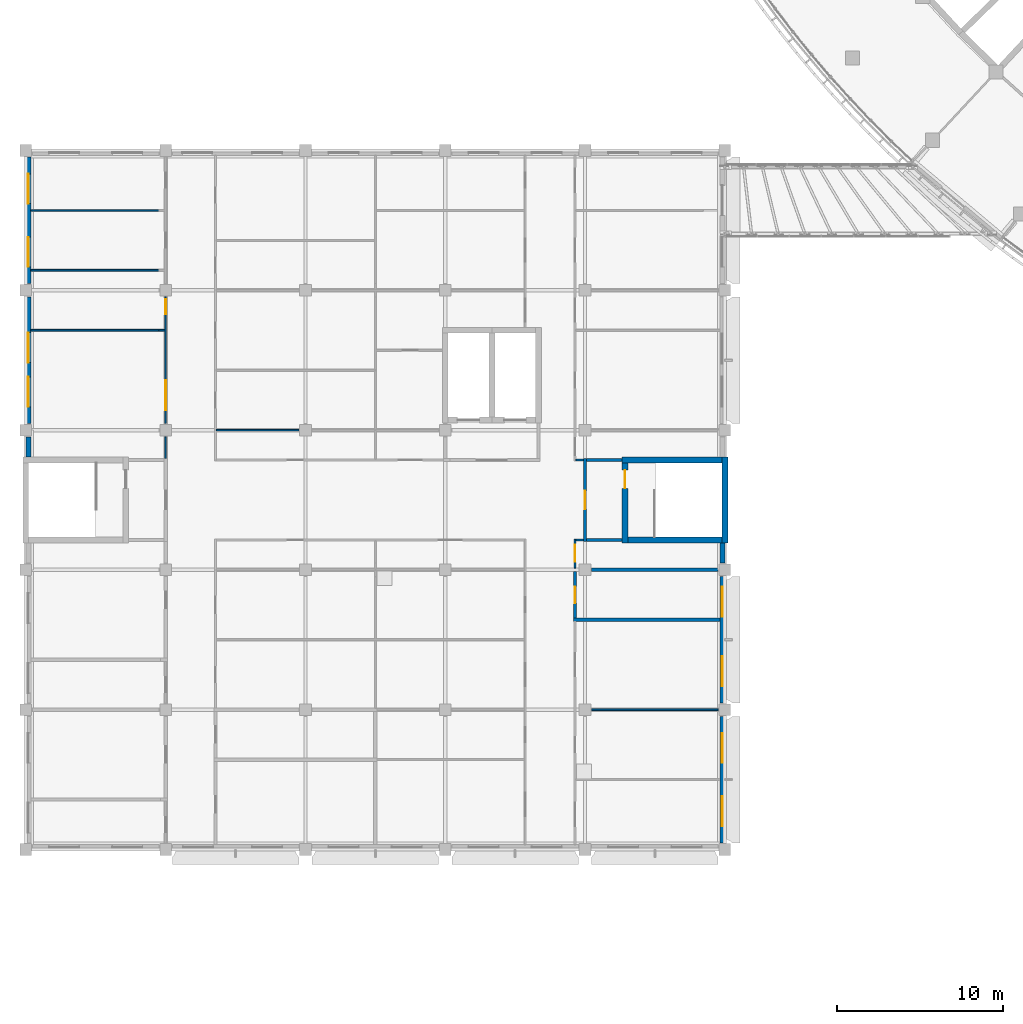
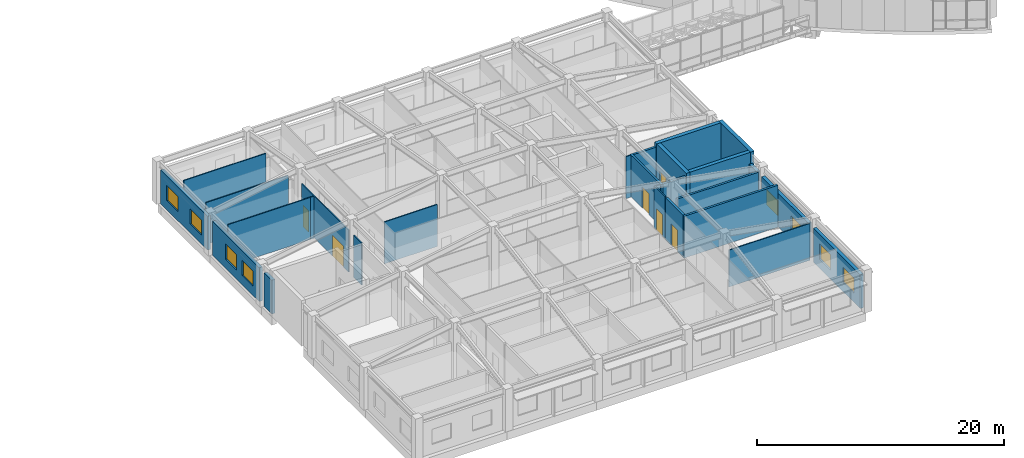
# One storey, part 57 of 136: 27 walls, 8 windows, 6 doors, 14 openings.
"""IFC4 building model written with IfcOpenShell, lengths in metres."""

from ifc_helpers import new_model, si_unit, direction, frame, frame_2d, origin, place, context, subcontext, project, spatial, rectangle, extrude, material, layer, layer_set, type_object, element, fill, save


model = new_model("IFC4")

# Units and contexts
model_context = context("Model", 3, precision=1e-05, world=origin(), true_north=direction((0.0, 1.0)))
body_context = subcontext(model_context, "Body", "Model", "MODEL_VIEW")
ifc_project = project(units=[si_unit("LENGTHUNIT", "METRE"), si_unit("AREAUNIT", "SQUARE_METRE"), si_unit("VOLUMEUNIT", "CUBIC_METRE"), si_unit("PLANEANGLEUNIT", "RADIAN"), si_unit("MASSUNIT", "GRAM", prefix="KILO")], contexts=[model_context])

# Site, building, storey
site_placement = place(None, origin())
site = spatial("IfcSite", under=ifc_project, at=site_placement, CompositionType="ELEMENT")
building_placement = place(site_placement, origin())
building = spatial("IfcBuilding", under=site, at=building_placement, Name="Bougainvillea Quay General Hospital", CompositionType="ELEMENT")
storey_placement = place(building_placement, frame((0.0, 0.0, 5.39990234375)))
storey = spatial("IfcBuildingStorey", under=building, at=storey_placement, Name="L01", CompositionType="ELEMENT", Elevation=5.39990234375)

# Wall, openings, windows
ifc_material_1 = material(Name="Pale stone rainscreen cladding on insulated masonry backing, pale stone", Category="masonry")
ifc_layer_1 = layer(ifc_material_1, 0.300048828125)
ifc_layer_set_1 = layer_set([ifc_layer_1], Name="Pale stone rainscreen cladding on insulated masonry backing, pale stone")
wall_type_1 = type_object("IfcWallType", Name="External wall pale stone rainscreen 300", PredefinedType="STANDARD", material=ifc_layer_set_1)
wall_1_placement = place(storey_placement, frame((8.550048828125, 75.199951171875, 0.0), z_axis=(0.0, 0.0, 1.0), x_axis=(0.0, -1.0, 0.0)))
wall_1 = element("IfcWall", 1, at=wall_1_placement, inside=storey, type_object=wall_type_1, Name="External wall wall/V2/L01/p0/01a", PredefinedType="STANDARD", context=body_context, shape_type="SweptSolid", body=[
    extrude(rectangle(XDim=7.599853515625, YDim=0.300048828125, at=frame_2d((3.7998046875, 0.0))), origin(), (0.0, 0.0, 1.0), 3.35009765625),
])
opening_1_placement = place(wall_1_placement, frame((1.0, 0.0, 0.89990234375)))
opening_1 = element("IfcOpeningElement", 2, at=opening_1_placement, cuts=wall_1, Name="Opening W1", PredefinedType="OPENING", context=body_context, shape_type="SweptSolid", body=[
    extrude(rectangle(XDim=1.800048828125, YDim=1.5, at=frame_2d((0.89990234375, 0.75))), frame((0.0, 0.159912109375, 0.0), z_axis=(0.0, -1.0, 0.0), x_axis=(1.0, 0.0, 0.0)), (0.0, 0.0, 1.0), 0.320068359375),
])
opening_2_placement = place(wall_1_placement, frame((4.800048828125, 0.0, 0.89990234375)))
opening_2 = element("IfcOpeningElement", 3, at=opening_2_placement, cuts=wall_1, Name="Opening W1", PredefinedType="OPENING", context=body_context, shape_type="SweptSolid", body=[
    extrude(rectangle(XDim=1.800048828125, YDim=1.5, at=frame_2d((0.89990234375, 0.75))), frame((0.0, 0.159912109375, 0.0), z_axis=(0.0, -1.0, 0.0), x_axis=(1.0, 0.0, 0.0)), (0.0, 0.0, 1.0), 0.320068359375),
])
ifc_material_2 = material(Name="Aluminium window frame with low-e double glazed unit", Category="aluminium")
window_type = type_object("IfcWindowType", Name="Window W1 1800x1500", PartitioningType="DOUBLE_PANEL_VERTICAL", PredefinedType="WINDOW", material=ifc_material_2)
window_1_placement = place(opening_1_placement, origin())
window_1 = element("IfcWindow", 4, at=window_1_placement, inside=storey, type_object=window_type, Name="Window W1 1", OverallHeight=1.5, OverallWidth=1.800048828125, PartitioningType="SINGLE_PANEL", PredefinedType="WINDOW", context=body_context, shape_type="SweptSolid", body=[
    extrude(rectangle(XDim=1.800048828125, YDim=1.5, at=frame_2d((0.89990234375, 0.75))), frame((0.0, 0.030029296875, 0.0), z_axis=(0.0, -1.0, 0.0), x_axis=(1.0, 0.0, 0.0)), (0.0, 0.0, 1.0), 0.06005859375),
])
fill(opening_1, window_1)
window_2_placement = place(opening_2_placement, origin())
window_2 = element("IfcWindow", 5, at=window_2_placement, inside=storey, type_object=window_type, Name="Window W1 2", OverallHeight=1.5, OverallWidth=1.800048828125, PartitioningType="SINGLE_PANEL", PredefinedType="WINDOW", context=body_context, shape_type="SweptSolid", body=[
    extrude(rectangle(XDim=1.800048828125, YDim=1.5, at=frame_2d((0.89990234375, 0.75))), frame((0.0, 0.030029296875, 0.0), z_axis=(0.0, -1.0, 0.0), x_axis=(1.0, 0.0, 0.0)), (0.0, 0.0, 1.0), 0.06005859375),
])
fill(opening_2, window_2)

wall_2_placement = place(storey_placement, frame((8.550048828125, 66.800048828125, 0.0), z_axis=(0.0, 0.0, 1.0), x_axis=(0.0, -1.0, 0.0)))
wall_2 = element("IfcWall", 6, at=wall_2_placement, inside=storey, type_object=wall_type_1, Name="External wall wall/V2/L01/p0/01b", PredefinedType="STANDARD", context=body_context, shape_type="SweptSolid", body=[
    extrude(rectangle(XDim=7.60009765625, YDim=0.300048828125, at=frame_2d((3.800048828125, 0.0))), origin(), (0.0, 0.0, 1.0), 3.35009765625),
])
opening_3_placement = place(wall_2_placement, frame((2.14990234375, 0.0, 0.89990234375)))
opening_3 = element("IfcOpeningElement", 7, at=opening_3_placement, cuts=wall_2, Name="Opening W1", PredefinedType="OPENING", context=body_context, shape_type="SweptSolid", body=[
    extrude(rectangle(XDim=1.800048828125, YDim=1.5, at=frame_2d((0.89990234375, 0.75))), frame((0.0, 0.159912109375, 0.0), z_axis=(0.0, -1.0, 0.0), x_axis=(1.0, 0.0, 0.0)), (0.0, 0.0, 1.0), 0.320068359375),
])
opening_4_placement = place(wall_2_placement, frame((4.800048828125, 0.0, 0.89990234375)))
opening_4 = element("IfcOpeningElement", 8, at=opening_4_placement, cuts=wall_2, Name="Opening W1", PredefinedType="OPENING", context=body_context, shape_type="SweptSolid", body=[
    extrude(rectangle(XDim=1.800048828125, YDim=1.5, at=frame_2d((0.89990234375, 0.75))), frame((0.0, 0.159912109375, 0.0), z_axis=(0.0, -1.0, 0.0), x_axis=(1.0, 0.0, 0.0)), (0.0, 0.0, 1.0), 0.320068359375),
])
window_3_placement = place(opening_3_placement, origin())
window_3 = element("IfcWindow", 9, at=window_3_placement, inside=storey, type_object=window_type, Name="Window W1 1", OverallHeight=1.5, OverallWidth=1.800048828125, PartitioningType="SINGLE_PANEL", PredefinedType="WINDOW", context=body_context, shape_type="SweptSolid", body=[
    extrude(rectangle(XDim=1.800048828125, YDim=1.5, at=frame_2d((0.89990234375, 0.75))), frame((0.0, 0.030029296875, 0.0), z_axis=(0.0, -1.0, 0.0), x_axis=(1.0, 0.0, 0.0)), (0.0, 0.0, 1.0), 0.06005859375),
])
fill(opening_3, window_3)
window_4_placement = place(opening_4_placement, origin())
window_4 = element("IfcWindow", 10, at=window_4_placement, inside=storey, type_object=window_type, Name="Window W1 2", OverallHeight=1.5, OverallWidth=1.800048828125, PartitioningType="SINGLE_PANEL", PredefinedType="WINDOW", context=body_context, shape_type="SweptSolid", body=[
    extrude(rectangle(XDim=1.800048828125, YDim=1.5, at=frame_2d((0.89990234375, 0.75))), frame((0.0, 0.030029296875, 0.0), z_axis=(0.0, -1.0, 0.0), x_axis=(1.0, 0.0, 0.0)), (0.0, 0.0, 1.0), 0.06005859375),
])
fill(opening_4, window_4)

wall_3_placement = place(storey_placement, frame((50.25, 34.0, 0.0), z_axis=(0.0, 0.0, 1.0), x_axis=(0.0, 1.0, 0.0)))
wall_3 = element("IfcWall", 11, at=wall_3_placement, inside=storey, type_object=wall_type_1, Name="External wall wall/V2/L01/p0/03a", PredefinedType="STANDARD", context=body_context, shape_type="SweptSolid", body=[
    extrude(rectangle(XDim=7.60009765625, YDim=0.300048828125, at=frame_2d((3.800048828125, 0.0))), origin(), (0.0, 0.0, 1.0), 3.35009765625),
])
opening_5_placement = place(wall_3_placement, frame((1.0, 0.0, 0.89990234375)))
opening_5 = element("IfcOpeningElement", 12, at=opening_5_placement, cuts=wall_3, Name="Opening W1", PredefinedType="OPENING", context=body_context, shape_type="SweptSolid", body=[
    extrude(rectangle(XDim=1.800048828125, YDim=1.5, at=frame_2d((0.89990234375, 0.75))), frame((0.0, 0.159912109375, 0.0), z_axis=(0.0, -1.0, 0.0), x_axis=(1.0, 0.0, 0.0)), (0.0, 0.0, 1.0), 0.320068359375),
])
opening_6_placement = place(wall_3_placement, frame((4.800048828125, 0.0, 0.89990234375)))
opening_6 = element("IfcOpeningElement", 13, at=opening_6_placement, cuts=wall_3, Name="Opening W1", PredefinedType="OPENING", context=body_context, shape_type="SweptSolid", body=[
    extrude(rectangle(XDim=1.800048828125, YDim=1.5, at=frame_2d((0.89990234375, 0.75))), frame((0.0, 0.159912109375, 0.0), z_axis=(0.0, -1.0, 0.0), x_axis=(1.0, 0.0, 0.0)), (0.0, 0.0, 1.0), 0.320068359375),
])
window_5_placement = place(opening_5_placement, origin())
window_5 = element("IfcWindow", 14, at=window_5_placement, inside=storey, type_object=window_type, Name="Window W1 1", OverallHeight=1.5, OverallWidth=1.800048828125, PartitioningType="SINGLE_PANEL", PredefinedType="WINDOW", context=body_context, shape_type="SweptSolid", body=[
    extrude(rectangle(XDim=1.800048828125, YDim=1.5, at=frame_2d((0.89990234375, 0.75))), frame((0.0, 0.030029296875, 0.0), z_axis=(0.0, -1.0, 0.0), x_axis=(1.0, 0.0, 0.0)), (0.0, 0.0, 1.0), 0.06005859375),
])
fill(opening_5, window_5)
window_6_placement = place(opening_6_placement, origin())
window_6 = element("IfcWindow", 15, at=window_6_placement, inside=storey, type_object=window_type, Name="Window W1 2", OverallHeight=1.5, OverallWidth=1.800048828125, PartitioningType="SINGLE_PANEL", PredefinedType="WINDOW", context=body_context, shape_type="SweptSolid", body=[
    extrude(rectangle(XDim=1.800048828125, YDim=1.5, at=frame_2d((0.89990234375, 0.75))), frame((0.0, 0.030029296875, 0.0), z_axis=(0.0, -1.0, 0.0), x_axis=(1.0, 0.0, 0.0)), (0.0, 0.0, 1.0), 0.06005859375),
])
fill(opening_6, window_6)

wall_4_placement = place(storey_placement, frame((50.25, 42.39990234375, 0.0), z_axis=(0.0, 0.0, 1.0), x_axis=(0.0, 1.0, 0.0)))
wall_4 = element("IfcWall", 16, at=wall_4_placement, inside=storey, type_object=wall_type_1, Name="External wall wall/V2/L01/p0/03b", PredefinedType="STANDARD", context=body_context, shape_type="SweptSolid", body=[
    extrude(rectangle(XDim=7.60009765625, YDim=0.300048828125, at=frame_2d((3.800048828125, 0.0))), origin(), (0.0, 0.0, 1.0), 3.35009765625),
])
opening_7_placement = place(wall_4_placement, frame((1.0, 0.0, 0.89990234375)))
opening_7 = element("IfcOpeningElement", 17, at=opening_7_placement, cuts=wall_4, Name="Opening W1", PredefinedType="OPENING", context=body_context, shape_type="SweptSolid", body=[
    extrude(rectangle(XDim=1.800048828125, YDim=1.5, at=frame_2d((0.89990234375, 0.75))), frame((0.0, 0.159912109375, 0.0), z_axis=(0.0, -1.0, 0.0), x_axis=(1.0, 0.0, 0.0)), (0.0, 0.0, 1.0), 0.320068359375),
])
opening_8_placement = place(wall_4_placement, frame((5.199951171875, 0.0, 0.89990234375)))
opening_8 = element("IfcOpeningElement", 18, at=opening_8_placement, cuts=wall_4, Name="Opening W1", PredefinedType="OPENING", context=body_context, shape_type="SweptSolid", body=[
    extrude(rectangle(XDim=1.800048828125, YDim=1.5, at=frame_2d((0.89990234375, 0.75))), frame((0.0, 0.159912109375, 0.0), z_axis=(0.0, -1.0, 0.0), x_axis=(1.0, 0.0, 0.0)), (0.0, 0.0, 1.0), 0.320068359375),
])
window_7_placement = place(opening_7_placement, origin())
window_7 = element("IfcWindow", 19, at=window_7_placement, inside=storey, type_object=window_type, Name="Window W1 1", OverallHeight=1.5, OverallWidth=1.800048828125, PartitioningType="SINGLE_PANEL", PredefinedType="WINDOW", context=body_context, shape_type="SweptSolid", body=[
    extrude(rectangle(XDim=1.800048828125, YDim=1.5, at=frame_2d((0.89990234375, 0.75))), frame((0.0, 0.030029296875, 0.0), z_axis=(0.0, -1.0, 0.0), x_axis=(1.0, 0.0, 0.0)), (0.0, 0.0, 1.0), 0.06005859375),
])
fill(opening_7, window_7)
window_8_placement = place(opening_8_placement, origin())
window_8 = element("IfcWindow", 20, at=window_8_placement, inside=storey, type_object=window_type, Name="Window W1 2", OverallHeight=1.5, OverallWidth=1.800048828125, PartitioningType="SINGLE_PANEL", PredefinedType="WINDOW", context=body_context, shape_type="SweptSolid", body=[
    extrude(rectangle(XDim=1.800048828125, YDim=1.5, at=frame_2d((0.89990234375, 0.75))), frame((0.0, 0.030029296875, 0.0), z_axis=(0.0, -1.0, 0.0), x_axis=(1.0, 0.0, 0.0)), (0.0, 0.0, 1.0), 0.06005859375),
])
fill(opening_8, window_8)

# Walls
ifc_material_3 = material(Name="Terracotta rainscreen cladding on insulated masonry backing, terracotta", Category="masonry")
ifc_layer_2 = layer(ifc_material_3, 0.300048828125)
ifc_layer_set_2 = layer_set([ifc_layer_2], Name="Terracotta rainscreen cladding on insulated masonry backing, terracotta")
wall_type_2 = type_object("IfcWallType", Name="External wall terracotta rainscreen 300", PredefinedType="STANDARD", material=ifc_layer_set_2)
for number, where, z_axis, x_axis, name in (
    (21, (8.550048828125, 58.39990234375, 0.0), (0.0, 0.0, 1.0), (0.0, -1.0, 0.0), "External wall wall/V2/L01/p0/01c"),
    (22, (50.25, 50.800048828125, 0.0), (0.0, 0.0, 1.0), (0.0, 1.0, 0.0), "External wall wall/V2/L01/p0/03c"),
):
    element("IfcWall", number, at=place(storey_placement, frame(where, z_axis=z_axis, x_axis=x_axis)), inside=storey, type_object=wall_type_2, Name=name, PredefinedType="STANDARD", context=body_context, shape_type="SweptSolid", body=[
        extrude(rectangle(XDim=1.224853515625, YDim=0.300048828125, at=frame_2d((0.6123046875, 0.0))), origin(), (0.0, 0.0, 1.0), 3.35009765625),
    ])

# Wall, openings, doors
ifc_material_4 = material(Name="Gypsum board partition on steel studs", Category="steel")
ifc_layer_3 = layer(ifc_material_4, 0.10009765625)
ifc_layer_set_3 = layer_set([ifc_layer_3], Name="Gypsum board partition on steel studs")
wall_type_3 = type_object("IfcWallType", Name="Partition 100 Gypsum board partition", PredefinedType="PARTITIONING", material=ifc_layer_set_3)
wall_5_placement = place(storey_placement, frame((16.800048828125, 66.800048828125, 0.0), z_axis=(0.0, 0.0, 1.0), x_axis=(0.0, -1.0, 0.0)))
wall_5 = element("IfcWall", 23, at=wall_5_placement, inside=storey, type_object=wall_type_3, Name="Partition 100 mm", PredefinedType="PARTITIONING", context=body_context, shape_type="SweptSolid", body=[
    extrude(rectangle(XDim=7.60009765625, YDim=0.10009765625, at=frame_2d((3.800048828125, 0.0))), origin(), (0.0, 0.0, 1.0), 4.150146484375),
])
opening_9_placement = place(wall_5_placement, frame((5.0, 0.0, 0.0)))
opening_9 = element("IfcOpeningElement", 24, at=opening_9_placement, cuts=wall_5, Name="Opening L01.079", PredefinedType="OPENING", context=body_context, shape_type="SweptSolid", body=[
    extrude(rectangle(XDim=1.800048828125, YDim=2.10009765625, at=frame_2d((0.89990234375, 1.050048828125))), frame((0.0, 0.06005859375, 0.0), z_axis=(0.0, -1.0, 0.0), x_axis=(1.0, 0.0, 0.0)), (0.0, 0.0, 1.0), 0.1201171875),
])
opening_10_placement = place(wall_5_placement, frame((0.14990234375, 0.0, 0.0)))
opening_10 = element("IfcOpeningElement", 25, at=opening_10_placement, cuts=wall_5, Name="Opening L01.080", PredefinedType="OPENING", context=body_context, shape_type="SweptSolid", body=[
    extrude(rectangle(XDim=0.89990234375, YDim=2.10009765625, at=frame_2d((0.449951171875, 1.050048828125))), frame((0.0, 0.06005859375, 0.0), z_axis=(0.0, -1.0, 0.0), x_axis=(1.0, 0.0, 0.0)), (0.0, 0.0, 1.0), 0.1201171875),
])
ifc_material_5 = material(Name="Solid-core timber door leaves in steel frame", Category="steel")
door_type_1 = type_object("IfcDoorType", Name="Double leaf door 1800x2100", OperationType="DOUBLE_DOOR_SINGLE_SWING", PredefinedType="DOOR", material=ifc_material_5)
door_1_placement = place(opening_9_placement, frame((1.800048828125, 0.0, 0.0), z_axis=(0.0, 0.0, 1.0), x_axis=(-1.0, 0.0, 0.0)))
door_1 = element("IfcDoor", 26, at=door_1_placement, inside=storey, type_object=door_type_1, Name="DT08 L01.079", OperationType="DOUBLE_DOOR_SINGLE_SWING", OverallHeight=2.10009765625, OverallWidth=1.800048828125, PredefinedType="DOOR", context=body_context, shape_type="SweptSolid", body=[
    extrude(rectangle(XDim=1.800048828125, YDim=2.10009765625, at=frame_2d((0.89990234375, 1.050048828125))), frame((0.0, 0.02490234375, 0.0), z_axis=(0.0, -1.0, 0.0), x_axis=(1.0, 0.0, 0.0)), (0.0, 0.0, 1.0), 0.050048828125),
])
fill(opening_9, door_1)
ifc_material_6 = material(Name="Solid-core timber door leaf in steel frame", Category="steel")
door_type_2 = type_object("IfcDoorType", Name="Single leaf door 900x2100", OperationType="NOTDEFINED", PredefinedType="DOOR", material=ifc_material_6)
door_2_placement = place(opening_10_placement, frame((0.89990234375, 0.0, 0.0), z_axis=(0.0, 0.0, 1.0), x_axis=(-1.0, 0.0, 0.0)))
door_2 = element("IfcDoor", 27, at=door_2_placement, inside=storey, type_object=door_type_2, Name="DT07 L01.080", OperationType="SINGLE_SWING_RIGHT", OverallHeight=2.10009765625, OverallWidth=0.89990234375, PredefinedType="DOOR", context=body_context, shape_type="SweptSolid", body=[
    extrude(rectangle(XDim=0.89990234375, YDim=2.10009765625, at=frame_2d((0.449951171875, 1.050048828125))), frame((0.0, 0.02490234375, 0.0), z_axis=(0.0, -1.0, 0.0), x_axis=(1.0, 0.0, 0.0)), (0.0, 0.0, 1.0), 0.050048828125),
])
fill(opening_10, door_2)

# Walls
wall_6_placement = place(storey_placement, frame((16.800048828125, 58.39990234375, 0.0), z_axis=(0.0, 0.0, 1.0), x_axis=(0.0, -1.0, 0.0)))
element("IfcWall", 28, at=wall_6_placement, inside=storey, type_object=wall_type_3, Name="Partition 100 mm", PredefinedType="PARTITIONING", context=body_context, shape_type="SweptSolid", body=[
    extrude(rectangle(XDim=1.2998046875, YDim=0.10009765625, at=frame_2d((0.64990234375, 0.0))), origin(), (0.0, 0.0, 1.0), 4.150146484375),
])
wall_7_placement = place(storey_placement, frame((19.85009765625, 58.800048828125, 0.0), z_axis=(0.0, 0.0, 1.0), x_axis=(1.0, 0.0, 0.0)))
element("IfcWall", 29, at=wall_7_placement, inside=storey, type_object=wall_type_3, Name="Partition 100 mm", PredefinedType="PARTITIONING", context=body_context, shape_type="SweptSolid", body=[
    extrude(rectangle(XDim=4.949951171875, YDim=0.10009765625, at=frame_2d((2.47509765625, 0.0))), origin(), (0.0, 0.0, 1.0), 4.150146484375),
])
wall_8_placement = place(storey_placement, frame((42.39990234375, 42.0, 0.0), z_axis=(0.0, 0.0, 1.0), x_axis=(1.0, 0.0, 0.0)))
element("IfcWall", 30, at=wall_8_placement, inside=storey, type_object=wall_type_3, Name="Partition 100 mm", PredefinedType="PARTITIONING", context=body_context, shape_type="SweptSolid", body=[
    extrude(rectangle(XDim=7.60009765625, YDim=0.10009765625, at=frame_2d((3.800048828125, 0.0))), origin(), (0.0, 0.0, 1.0), 3.647216796875),
])
wall_9_placement = place(storey_placement, frame((8.699951171875, 64.800048828125, 0.0), z_axis=(0.0, 0.0, 1.0), x_axis=(1.0, 0.0, 0.0)))
element("IfcWall", 31, at=wall_9_placement, inside=storey, type_object=wall_type_3, Name="Partition 100 mm", PredefinedType="PARTITIONING", context=body_context, shape_type="SweptSolid", body=[
    extrude(rectangle(XDim=7.699951171875, YDim=0.10009765625, at=frame_2d((3.85009765625, 0.0))), origin(), (0.0, 0.0, 1.0), 4.150146484375),
])
wall_10_placement = place(storey_placement, frame((16.39990234375, 64.800048828125, 0.0), z_axis=(0.0, 0.0, 1.0), x_axis=(1.0, 0.0, 0.0)))
element("IfcWall", 32, at=wall_10_placement, inside=storey, type_object=wall_type_3, Name="Partition 100 mm", PredefinedType="PARTITIONING", context=body_context, shape_type="SweptSolid", body=[
    extrude(rectangle(XDim=0.35009765625, YDim=0.10009765625, at=frame_2d((0.175048828125, 0.0))), origin(), (0.0, 0.0, 1.0), 4.150146484375),
])
for number, where, z_axis, x_axis, name in (
    (33, (8.699951171875, 68.39990234375, 0.0), (0.0, 0.0, 1.0), (1.0, 0.0, 0.0), "Partition 100 mm"),
    (34, (8.699951171875, 72.0, 0.0), (0.0, 0.0, 1.0), (1.0, 0.0, 0.0), "Partition 100 mm"),
):
    element("IfcWall", number, at=place(storey_placement, frame(where, z_axis=z_axis, x_axis=x_axis)), inside=storey, type_object=wall_type_3, Name=name, PredefinedType="PARTITIONING", context=body_context, shape_type="SweptSolid", body=[
        extrude(rectangle(XDim=7.699951171875, YDim=0.10009765625, at=frame_2d((3.85009765625, 0.0))), origin(), (0.0, 0.0, 1.0), 4.150146484375),
    ])

# Wall, opening, door
wall_11_placement = place(storey_placement, frame((41.39990234375, 50.5, 0.0), z_axis=(0.0, 0.0, 1.0), x_axis=(0.0, 1.0, 0.0)))
wall_11 = element("IfcWall", 35, at=wall_11_placement, inside=storey, type_object=wall_type_3, Name="Partition 100 mm", PredefinedType="PARTITIONING", context=body_context, shape_type="SweptSolid", body=[
    extrude(rectangle(XDim=1.75, YDim=0.10009765625, at=frame_2d((0.875, 0.0))), origin(), (0.0, 0.0, 1.0), 4.150146484375),
])
opening_11_placement = place(wall_11_placement, frame((0.39990234375, 0.0, 0.0)))
opening_11 = element("IfcOpeningElement", 36, at=opening_11_placement, cuts=wall_11, Name="Opening L01.074", PredefinedType="OPENING", context=body_context, shape_type="SweptSolid", body=[
    extrude(rectangle(XDim=1.0, YDim=2.10009765625, at=frame_2d((0.5, 1.050048828125))), frame((0.0, 0.06005859375, 0.0), z_axis=(0.0, -1.0, 0.0), x_axis=(1.0, 0.0, 0.0)), (0.0, 0.0, 1.0), 0.1201171875),
])
door_type_3 = type_object("IfcDoorType", Name="Single leaf door 1000x2100", OperationType="NOTDEFINED", PredefinedType="DOOR", material=ifc_material_6)
door_3_placement = place(opening_11_placement, frame((1.0, 0.0, 0.0), z_axis=(0.0, 0.0, 1.0), x_axis=(-1.0, 0.0, 0.0)))
door_3 = element("IfcDoor", 37, at=door_3_placement, inside=storey, type_object=door_type_3, Name="DT06 L01.074", OperationType="SINGLE_SWING_LEFT", OverallHeight=2.10009765625, OverallWidth=1.0, PredefinedType="DOOR", context=body_context, shape_type="SweptSolid", body=[
    extrude(rectangle(XDim=1.0, YDim=2.10009765625, at=frame_2d((0.5, 1.050048828125))), frame((0.0, 0.02490234375, 0.0), z_axis=(0.0, -1.0, 0.0), x_axis=(1.0, 0.0, 0.0)), (0.0, 0.0, 1.0), 0.050048828125),
])
fill(opening_11, door_3)

# Walls
for number, where, z_axis, x_axis, name in (
    (38, (41.449951171875, 52.199951171875, 0.0), (0.0, 0.0, 1.0), (1.0, 0.0, 0.0), "Partition 100 mm"),
    (39, (41.449951171875, 57.0, 0.0), (0.0, 0.0, 1.0), (1.0, 0.0, 0.0), "Partition 100 mm"),
):
    element("IfcWall", number, at=place(storey_placement, frame(where, z_axis=z_axis, x_axis=x_axis)), inside=storey, type_object=wall_type_3, Name=name, PredefinedType="PARTITIONING", context=body_context, shape_type="SweptSolid", body=[
        extrude(rectangle(XDim=0.449951171875, YDim=0.10009765625, at=frame_2d((0.22509765625, 0.0))), origin(), (0.0, 0.0, 1.0), 4.150146484375),
    ])

# Wall, opening, door
ifc_material_7 = material(Name="Fire-rated autoclaved aerated block wall, plastered")
ifc_layer_4 = layer(ifc_material_7, 0.199951171875)
ifc_layer_set_4 = layer_set([ifc_layer_4], Name="Fire-rated autoclaved aerated block wall, plastered")
wall_type_4 = type_object("IfcWallType", Name="Partition 200 Fire-rated autoclaved aerated block wall EI 120", PredefinedType="SOLIDWALL", material=ifc_layer_set_4)
wall_12_placement = place(storey_placement, frame((42.0, 52.10009765625, 0.0), z_axis=(0.0, 0.0, 1.0), x_axis=(0.0, 1.0, 0.0)))
wall_12 = element("IfcWall", 40, at=wall_12_placement, inside=storey, type_object=wall_type_4, Name="Partition 200 mm EI 120", PredefinedType="SOLIDWALL", context=body_context, shape_type="SweptSolid", body=[
    extrude(rectangle(XDim=5.0, YDim=0.199951171875, at=frame_2d((2.5, 0.0))), origin(), (0.0, 0.0, 1.0), 4.150146484375),
])
opening_12_placement = place(wall_12_placement, frame((1.949951171875, 0.0, 0.0)))
opening_12 = element("IfcOpeningElement", 41, at=opening_12_placement, cuts=wall_12, Name="Opening L01.055", PredefinedType="OPENING", context=body_context, shape_type="SweptSolid", body=[
    extrude(rectangle(XDim=1.10009765625, YDim=2.10009765625, at=frame_2d((0.550048828125, 1.050048828125))), frame((0.0, 0.10986328125, 0.0), z_axis=(0.0, -1.0, 0.0), x_axis=(1.0, 0.0, 0.0)), (0.0, 0.0, 1.0), 0.219970703125),
])
ifc_material_8 = material(Name="Steel fire door leaf in steel frame", Category="steel")
door_type_4 = type_object("IfcDoorType", Name="Steel single leaf door 1100x2100 FD60", OperationType="NOTDEFINED", PredefinedType="DOOR", material=ifc_material_8)
door_4_placement = place(opening_12_placement, frame((1.10009765625, 0.0, 0.0), z_axis=(0.0, 0.0, 1.0), x_axis=(-1.0, 0.0, 0.0)))
door_4 = element("IfcDoor", 42, at=door_4_placement, inside=storey, type_object=door_type_4, Name="DT04 L01.055", OperationType="SINGLE_SWING_RIGHT", OverallHeight=2.10009765625, OverallWidth=1.10009765625, PredefinedType="DOOR", context=body_context, shape_type="SweptSolid", body=[
    extrude(rectangle(XDim=1.10009765625, YDim=2.10009765625, at=frame_2d((0.550048828125, 1.050048828125))), frame((0.0, 0.02490234375, 0.0), z_axis=(0.0, -1.0, 0.0), x_axis=(1.0, 0.0, 0.0)), (0.0, 0.0, 1.0), 0.050048828125),
])
fill(opening_12, door_4)

# Walls
for number, where, z_axis, x_axis, name in (
    (43, (42.10009765625, 52.199951171875, 0.0), (0.0, 0.0, 1.0), (1.0, 0.0, 0.0), "Partition 200 mm EI 120"),
    (44, (42.10009765625, 57.0, 0.0), (0.0, 0.0, 1.0), (1.0, 0.0, 0.0), "Partition 200 mm EI 120"),
):
    element("IfcWall", number, at=place(storey_placement, frame(where, z_axis=z_axis, x_axis=x_axis)), inside=storey, type_object=wall_type_4, Name=name, PredefinedType="SOLIDWALL", context=body_context, shape_type="SweptSolid", body=[
        extrude(rectangle(XDim=2.125, YDim=0.199951171875, at=frame_2d((1.0625, 0.0))), origin(), (0.0, 0.0, 1.0), 4.150146484375),
    ])
ifc_layer_5 = layer(ifc_material_7, 0.199951171875)
ifc_layer_set_5 = layer_set([ifc_layer_5], Name="Fire-rated autoclaved aerated block wall, plastered")
wall_type_5 = type_object("IfcWallType", Name="Partition 200 Fire-rated autoclaved aerated block wall EI 60", PredefinedType="SOLIDWALL", material=ifc_layer_set_5)
wall_13_placement = place(storey_placement, frame((41.300048828125, 47.39990234375, 0.0), z_axis=(0.0, 0.0, 1.0), x_axis=(1.0, 0.0, 0.0)))
element("IfcWall", 45, at=wall_13_placement, inside=storey, type_object=wall_type_5, Name="Partition 200 mm EI 60", PredefinedType="SOLIDWALL", context=body_context, shape_type="SweptSolid", body=[
    extrude(rectangle(XDim=8.800048828125, YDim=0.199951171875, at=frame_2d((4.39990234375, 0.0))), origin(), (0.0, 0.0, 1.0), 4.150146484375),
])
wall_14_placement = place(storey_placement, frame((42.39990234375, 50.39990234375, 0.0), z_axis=(0.0, 0.0, 1.0), x_axis=(1.0, 0.0, 0.0)))
element("IfcWall", 46, at=wall_14_placement, inside=storey, type_object=wall_type_5, Name="Partition 200 mm EI 60", PredefinedType="SOLIDWALL", context=body_context, shape_type="SweptSolid", body=[
    extrude(rectangle(XDim=7.60009765625, YDim=0.199951171875, at=frame_2d((3.800048828125, 0.0))), origin(), (0.0, 0.0, 1.0), 3.647216796875),
])

# Wall, opening, door
wall_15_placement = place(storey_placement, frame((41.39990234375, 47.5, 0.0), z_axis=(0.0, 0.0, 1.0), x_axis=(0.0, 1.0, 0.0)))
wall_15 = element("IfcWall", 47, at=wall_15_placement, inside=storey, type_object=wall_type_5, Name="Partition 200 mm EI 60", PredefinedType="SOLIDWALL", context=body_context, shape_type="SweptSolid", body=[
    extrude(rectangle(XDim=2.800048828125, YDim=0.199951171875, at=frame_2d((1.39990234375, 0.0))), origin(), (0.0, 0.0, 1.0), 4.150146484375),
])
opening_13_placement = place(wall_15_placement, frame((0.89990234375, 0.0, 0.0)))
opening_13 = element("IfcOpeningElement", 48, at=opening_13_placement, cuts=wall_15, Name="Opening L01.075", PredefinedType="OPENING", context=body_context, shape_type="SweptSolid", body=[
    extrude(rectangle(XDim=1.0, YDim=2.10009765625, at=frame_2d((0.5, 1.050048828125))), frame((0.0, 0.10986328125, 0.0), z_axis=(0.0, -1.0, 0.0), x_axis=(1.0, 0.0, 0.0)), (0.0, 0.0, 1.0), 0.219970703125),
])
door_type_5 = type_object("IfcDoorType", Name="Steel single leaf door 1000x2100 FD60", OperationType="NOTDEFINED", PredefinedType="DOOR", material=ifc_material_8)
door_5_placement = place(opening_13_placement, frame((1.0, 0.0, 0.0), z_axis=(0.0, 0.0, 1.0), x_axis=(-1.0, 0.0, 0.0)))
door_5 = element("IfcDoor", 49, at=door_5_placement, inside=storey, type_object=door_type_5, Name="DT10 L01.075", OperationType="SINGLE_SWING_RIGHT", OverallHeight=2.10009765625, OverallWidth=1.0, PredefinedType="DOOR", context=body_context, shape_type="SweptSolid", body=[
    extrude(rectangle(XDim=1.0, YDim=2.10009765625, at=frame_2d((0.5, 1.050048828125))), frame((0.0, 0.02490234375, 0.0), z_axis=(0.0, -1.0, 0.0), x_axis=(1.0, 0.0, 0.0)), (0.0, 0.0, 1.0), 0.050048828125),
])
fill(opening_13, door_5)

# Wall
ifc_material_9 = material(Name="Concrete C40", Category="concrete")
ifc_layer_6 = layer(ifc_material_9, 0.35009765625)
ifc_layer_set_6 = layer_set([ifc_layer_6], Name="Concrete C40")
wall_type_6 = type_object("IfcWallType", Name="RC SHEAR WALL 350 C40", PredefinedType="SHEAR", material=ifc_layer_set_6)
wall_16_placement = place(storey_placement, frame((44.22509765625, 57.0, 0.0), z_axis=(0.0, 0.0, 1.0), x_axis=(1.0, 0.0, 0.0)))
element("IfcWall", 50, at=wall_16_placement, inside=storey, type_object=wall_type_6, Name="Shear wall L01", PredefinedType="SHEAR", context=body_context, shape_type="SweptSolid", body=[
    extrude(rectangle(XDim=6.0, YDim=0.35009765625, at=frame_2d((3.0, 0.0))), origin(), (0.0, 0.0, 1.0), 4.5),
])

# Wall, opening, door
wall_17_placement = place(storey_placement, frame((44.39990234375, 52.02490234375, 0.0), z_axis=(0.0, 0.0, 1.0), x_axis=(0.0, 1.0, 0.0)))
wall_17 = element("IfcWall", 51, at=wall_17_placement, inside=storey, type_object=wall_type_6, Name="Shear wall L01", PredefinedType="SHEAR", context=body_context, shape_type="SweptSolid", body=[
    extrude(rectangle(XDim=4.800048828125, YDim=0.35009765625, at=frame_2d((2.39990234375, 0.0))), origin(), (0.0, 0.0, 1.0), 4.5),
])
opening_14_placement = place(wall_17_placement, frame((3.27490234375, 0.0, 0.0)))
opening_14 = element("IfcOpeningElement", 52, at=opening_14_placement, cuts=wall_17, Name="Opening L01.032", PredefinedType="OPENING", context=body_context, shape_type="SweptSolid", body=[
    extrude(rectangle(XDim=1.10009765625, YDim=2.10009765625, at=frame_2d((0.550048828125, 1.050048828125))), frame((0.0, 0.18505859375, 0.0), z_axis=(0.0, -1.0, 0.0), x_axis=(1.0, 0.0, 0.0)), (0.0, 0.0, 1.0), 0.3701171875),
])
door_6_placement = place(opening_14_placement, frame((1.10009765625, 0.0, 0.0), z_axis=(0.0, 0.0, 1.0), x_axis=(-1.0, 0.0, 0.0)))
door_6 = element("IfcDoor", 53, at=door_6_placement, inside=storey, type_object=door_type_4, Name="DT04 L01.032", OperationType="SINGLE_SWING_LEFT", OverallHeight=2.10009765625, OverallWidth=1.10009765625, PredefinedType="DOOR", context=body_context, shape_type="SweptSolid", body=[
    extrude(rectangle(XDim=1.10009765625, YDim=2.10009765625, at=frame_2d((0.550048828125, 1.050048828125))), frame((0.0, 0.02490234375, 0.0), z_axis=(0.0, -1.0, 0.0), x_axis=(1.0, 0.0, 0.0)), (0.0, 0.0, 1.0), 0.050048828125),
])
fill(opening_14, door_6)

# Walls
wall_18_placement = place(storey_placement, frame((44.574951171875, 52.199951171875, 0.0), z_axis=(0.0, 0.0, 1.0), x_axis=(1.0, 0.0, 0.0)))
element("IfcWall", 54, at=wall_18_placement, inside=storey, type_object=wall_type_6, Name="Shear wall L01", PredefinedType="SHEAR", context=body_context, shape_type="SweptSolid", body=[
    extrude(rectangle(XDim=5.650146484375, YDim=0.35009765625, at=frame_2d((2.8251953125, 0.0))), origin(), (0.0, 0.0, 1.0), 4.5),
])
wall_19_placement = place(storey_placement, frame((50.39990234375, 52.02490234375, 0.0), z_axis=(0.0, 0.0, 1.0), x_axis=(0.0, 1.0, 0.0)))
element("IfcWall", 55, at=wall_19_placement, inside=storey, type_object=wall_type_6, Name="Shear wall L01", PredefinedType="SHEAR", context=body_context, shape_type="SweptSolid", body=[
    extrude(rectangle(XDim=5.150146484375, YDim=0.35009765625, at=frame_2d((2.5751953125, 0.0))), origin(), (0.0, 0.0, 1.0), 4.5),
])

save(model, "model.ifc")
